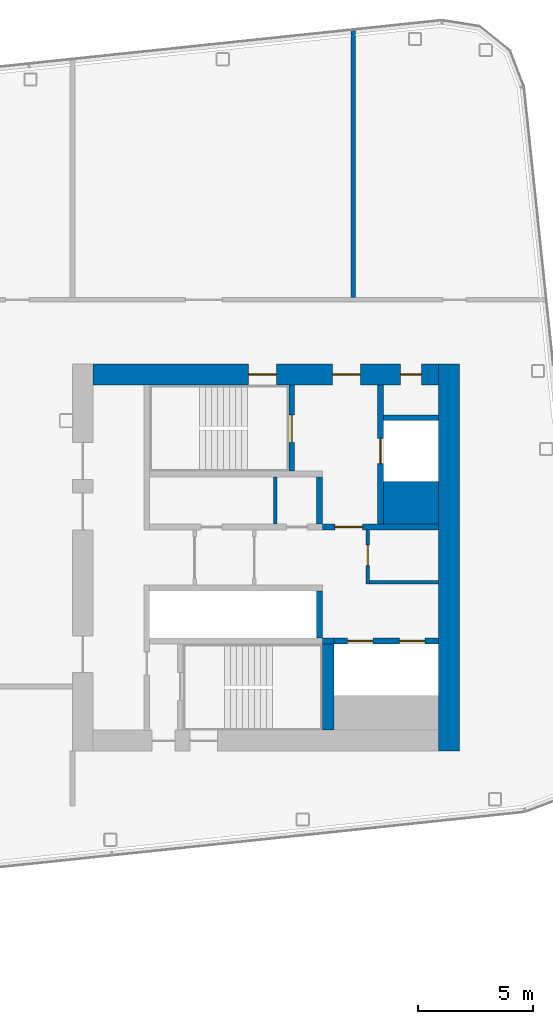
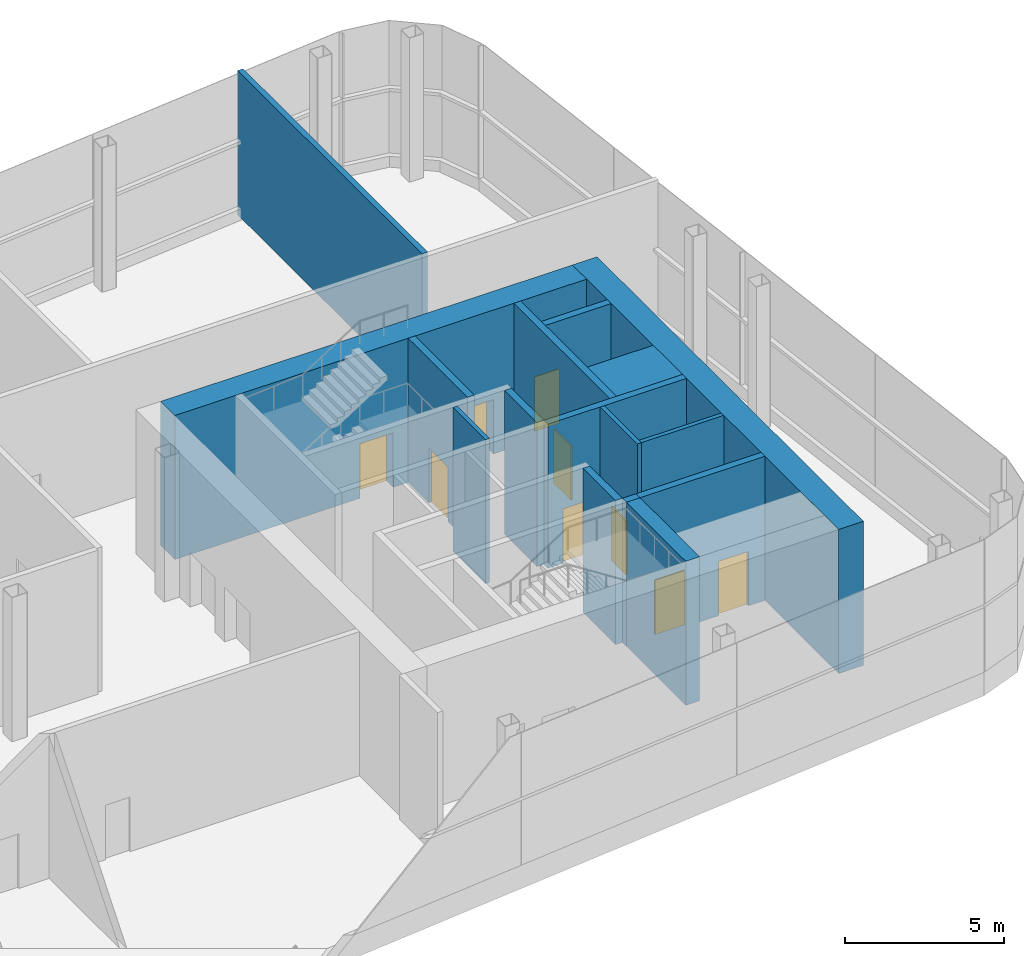
# One storey, part 17 of 35: 16 walls, 9 doors, 9 openings.
"""IFC4 building model written with IfcOpenShell, lengths in metres."""

from ifc_helpers import new_model, si_unit, direction, frame, frame_2d, origin, place, context, subcontext, project, spatial, rectangle, extrude, material, layer, layer_set, type_object, element, fill, save


model = new_model("IFC4")

# Units and contexts
model_context = context("Model", 3, precision=1e-05, world=origin(), true_north=direction((0.0, 1.0)))
body_context = subcontext(model_context, "Body", "Model", "MODEL_VIEW")
ifc_project = project(units=[si_unit("LENGTHUNIT", "METRE"), si_unit("AREAUNIT", "SQUARE_METRE"), si_unit("VOLUMEUNIT", "CUBIC_METRE"), si_unit("PLANEANGLEUNIT", "RADIAN"), si_unit("MASSUNIT", "GRAM", prefix="KILO")], contexts=[model_context])

# Site, building, storey
site_placement = place(None, origin())
site = spatial("IfcSite", under=ifc_project, at=site_placement, CompositionType="ELEMENT")
building_placement = place(site_placement, origin())
building = spatial("IfcBuilding", under=site, at=building_placement, Name="Hakoniwa Tower and Hamabe Station Hall", CompositionType="ELEMENT")
storey_placement = place(building_placement, frame((0.0, 0.0, 264.60009765625)))
storey = spatial("IfcBuildingStorey", under=building, at=storey_placement, Name="L75", CompositionType="ELEMENT", Elevation=264.60009765625)

# Wall, opening, door
ifc_material_1 = material(Name="Gypsum board partition")
ifc_layer_1 = layer(ifc_material_1, 0.14990234375)
ifc_layer_set_1 = layer_set([ifc_layer_1], Name="CORE PARTITION 150 EI 60")
wall_type_1 = type_object("IfcWallType", Name="CORE PARTITION 150 EI 60", PredefinedType="PARTITIONING", material=ifc_layer_set_1)
wall_1_placement = place(storey_placement, frame((29.625, -1.14990234375, 0.0), z_axis=(0.0, 0.0, 1.0), x_axis=(0.0, 1.0, 0.0)))
wall_1 = element("IfcWall", 1, at=wall_1_placement, inside=storey, type_object=wall_type_1, Name="Core partition PW0 east", PredefinedType="PARTITIONING", context=body_context, shape_type="SweptSolid", body=[
    extrude(rectangle(XDim=2.349853515625, YDim=0.14990234375, at=frame_2d((1.1748046875, 0.0))), origin(), (0.0, 0.0, 1.0), 5.5498046875),
])
opening_1_placement = place(wall_1_placement, frame((0.800048828125, 0.0, 0.0)))
opening_1 = element("IfcOpeningElement", 2, at=opening_1_placement, cuts=wall_1, Name="Opening CD-E-RM1-9", PredefinedType="OPENING", context=body_context, shape_type="SweptSolid", body=[
    extrude(rectangle(XDim=0.89990234375, YDim=2.10009765625, at=frame_2d((0.449951171875, 1.050048828125))), frame((0.0, 0.0849609375, 0.0), z_axis=(0.0, -1.0, 0.0), x_axis=(1.0, 0.0, 0.0)), (0.0, 0.0, 1.0), 0.169921875),
])
ifc_material_2 = material(Name="Steel fire door", Category="steel")
door_type_1 = type_object("IfcDoorType", Name="CORE DOOR 900 FD30", OperationType="NOTDEFINED", PredefinedType="DOOR", material=ifc_material_2)
door_1_placement = place(opening_1_placement, origin())
door_1 = element("IfcDoor", 3, at=door_1_placement, inside=storey, type_object=door_type_1, Name="Store room door", OperationType="SINGLE_SWING_LEFT", OverallHeight=2.10009765625, OverallWidth=0.89990234375, PredefinedType="DOOR", context=body_context, shape_type="SweptSolid", body=[
    extrude(rectangle(XDim=0.89990234375, YDim=2.10009765625, at=frame_2d((0.449951171875, 1.050048828125))), frame((0.0, 0.02490234375, 0.0), z_axis=(0.0, -1.0, 0.0), x_axis=(1.0, 0.0, 0.0)), (0.0, 0.0, 1.0), 0.050048828125),
])
fill(opening_1, door_1)

# Walls
wall_2_placement = place(storey_placement, frame((29.699951171875, -1.074951171875, 0.0), z_axis=(0.0, 0.0, 1.0), x_axis=(1.0, 0.0, 0.0)))
element("IfcWall", 4, at=wall_2_placement, inside=storey, type_object=wall_type_1, Name="Core partition PS east", PredefinedType="PARTITIONING", context=body_context, shape_type="SweptSolid", body=[
    extrude(rectangle(XDim=3.0, YDim=0.14990234375, at=frame_2d((1.5, 0.0))), origin(), (0.0, 0.0, 1.0), 5.5498046875),
])
wall_3_placement = place(storey_placement, frame((25.60009765625, 1.449951171875, 0.0), z_axis=(0.0, 0.0, 1.0), x_axis=(0.0, 1.0, 0.0)))
element("IfcWall", 5, at=wall_3_placement, inside=storey, type_object=wall_type_1, Name="Core partition PFLR0 east", PredefinedType="PARTITIONING", context=body_context, shape_type="SweptSolid", body=[
    extrude(rectangle(XDim=2.050048828125, YDim=0.14990234375, at=frame_2d((1.02490234375, 0.0))), origin(), (0.0, 0.0, 1.0), 5.5498046875),
])
ifc_material_3 = material(Name="Concrete C60", Category="concrete")
ifc_layer_2 = layer(ifc_material_3, 0.89990234375)
ifc_layer_set_2 = layer_set([ifc_layer_2], Name="CORE WALL 900 C60")
wall_type_2 = type_object("IfcWallType", Name="CORE WALL 900 C60", PredefinedType="SHEAR", material=ifc_layer_set_2)
wall_4_placement = place(storey_placement, frame((33.14990234375, -8.39990234375, 0.0), z_axis=(0.0, 0.0, 1.0), x_axis=(0.0, 1.0, 0.0)))
element("IfcWall", 6, at=wall_4_placement, inside=storey, type_object=wall_type_2, Name="Core wall OUTER east", PredefinedType="SHEAR", context=body_context, shape_type="SweptSolid", body=[
    extrude(rectangle(XDim=16.7998046875, YDim=0.89990234375, at=frame_2d((8.39990234375, 0.0))), origin(), (0.0, 0.0, 1.0), 5.5498046875),
])

# Wall, openings, doors
wall_5_placement = place(storey_placement, frame((17.699951171875, 7.949951171875, 0.0), z_axis=(0.0, 0.0, 1.0), x_axis=(1.0, 0.0, 0.0)))
wall_5 = element("IfcWall", 7, at=wall_5_placement, inside=storey, type_object=wall_type_2, Name="Core wall NORTH east", PredefinedType="SHEAR", context=body_context, shape_type="SweptSolid", body=[
    extrude(rectangle(XDim=15.0, YDim=0.89990234375, at=frame_2d((7.5, 0.0))), origin(), (0.0, 0.0, 1.0), 5.5498046875),
])
opening_2_placement = place(wall_5_placement, frame((10.39990234375, 0.0, 0.0)))
opening_2 = element("IfcOpeningElement", 8, at=opening_2_placement, cuts=wall_5, Name="Opening CD-E-FN1-12", PredefinedType="OPENING", context=body_context, shape_type="SweptSolid", body=[
    extrude(rectangle(XDim=1.199951171875, YDim=2.10009765625, at=frame_2d((0.60009765625, 1.050048828125))), frame((0.0, 0.4599609375, 0.0), z_axis=(0.0, -1.0, 0.0), x_axis=(1.0, 0.0, 0.0)), (0.0, 0.0, 1.0), 0.919921875),
])
opening_3_placement = place(wall_5_placement, frame((13.35009765625, 0.0, 0.0)))
opening_3 = element("IfcOpeningElement", 9, at=opening_3_placement, cuts=wall_5, Name="Opening CD-E-FN2-9", PredefinedType="OPENING", context=body_context, shape_type="SweptSolid", body=[
    extrude(rectangle(XDim=0.89990234375, YDim=2.10009765625, at=frame_2d((0.449951171875, 1.050048828125))), frame((0.0, 0.4599609375, 0.0), z_axis=(0.0, -1.0, 0.0), x_axis=(1.0, 0.0, 0.0)), (0.0, 0.0, 1.0), 0.919921875),
])
opening_4_placement = place(wall_5_placement, frame((6.75, 0.0, 0.0)))
opening_4 = element("IfcOpeningElement", 10, at=opening_4_placement, cuts=wall_5, Name="Opening CD-E-FN4-12", PredefinedType="OPENING", context=body_context, shape_type="SweptSolid", body=[
    extrude(rectangle(XDim=1.199951171875, YDim=2.10009765625, at=frame_2d((0.60009765625, 1.050048828125))), frame((0.0, 0.4599609375, 0.0), z_axis=(0.0, -1.0, 0.0), x_axis=(1.0, 0.0, 0.0)), (0.0, 0.0, 1.0), 0.919921875),
])
ifc_material_4 = material(Name="Steel fire door", Category="steel")
door_type_2 = type_object("IfcDoorType", Name="CORE DOOR 1200 FD60", OperationType="DOUBLE_DOOR_SINGLE_SWING", PredefinedType="DOOR", material=ifc_material_4)
door_2_placement = place(opening_2_placement, origin())
door_2 = element("IfcDoor", 11, at=door_2_placement, inside=storey, type_object=door_type_2, Name="Stair vestibule door to the fire-fighting lobby", OperationType="DOUBLE_DOOR_SINGLE_SWING", OverallHeight=2.10009765625, OverallWidth=1.199951171875, PredefinedType="DOOR", context=body_context, shape_type="SweptSolid", body=[
    extrude(rectangle(XDim=1.199951171875, YDim=2.10009765625, at=frame_2d((0.60009765625, 1.050048828125))), frame((0.0, 0.02490234375, 0.0), z_axis=(0.0, -1.0, 0.0), x_axis=(1.0, 0.0, 0.0)), (0.0, 0.0, 1.0), 0.050048828125),
])
fill(opening_2, door_2)
door_3_placement = place(opening_4_placement, origin())
door_3 = element("IfcDoor", 12, at=door_3_placement, inside=storey, type_object=door_type_2, Name="Stair vestibule door to stair A", OperationType="DOUBLE_DOOR_SINGLE_SWING", OverallHeight=2.10009765625, OverallWidth=1.199951171875, PredefinedType="DOOR", context=body_context, shape_type="SweptSolid", body=[
    extrude(rectangle(XDim=1.199951171875, YDim=2.10009765625, at=frame_2d((0.60009765625, 1.050048828125))), frame((0.0, 0.02490234375, 0.0), z_axis=(0.0, -1.0, 0.0), x_axis=(1.0, 0.0, 0.0)), (0.0, 0.0, 1.0), 0.050048828125),
])
fill(opening_4, door_3)
door_4_placement = place(opening_3_placement, origin())
door_4 = element("IfcDoor", 13, at=door_4_placement, inside=storey, type_object=door_type_1, Name="Riser access door", OperationType="SINGLE_SWING_RIGHT", OverallHeight=2.10009765625, OverallWidth=0.89990234375, PredefinedType="DOOR", context=body_context, shape_type="SweptSolid", body=[
    extrude(rectangle(XDim=0.89990234375, YDim=2.10009765625, at=frame_2d((0.449951171875, 1.050048828125))), frame((0.0, 0.02490234375, 0.0), z_axis=(0.0, -1.0, 0.0), x_axis=(1.0, 0.0, 0.0)), (0.0, 0.0, 1.0), 0.050048828125),
])
fill(opening_3, door_4)

# Walls
ifc_material_5 = material(Name="Concrete C60", Category="concrete")
ifc_layer_3 = layer(ifc_material_5, 1.85009765625)
ifc_layer_set_3 = layer_set([ifc_layer_3], Name="CORE WEB WALL 1850 C60")
wall_type_3 = type_object("IfcWallType", Name="CORE WEB WALL 1850 C60", PredefinedType="SHEAR", material=ifc_layer_set_3)
wall_6_placement = place(storey_placement, frame((30.300048828125, 2.375, 0.0), z_axis=(0.0, 0.0, 1.0), x_axis=(1.0, 0.0, 0.0)))
element("IfcWall", 14, at=wall_6_placement, inside=storey, type_object=wall_type_3, Name="Core wall CA east", PredefinedType="SHEAR", context=body_context, shape_type="SweptSolid", body=[
    extrude(rectangle(XDim=2.39990234375, YDim=1.85009765625, at=frame_2d((1.199951171875, 0.0))), origin(), (0.0, 0.0, 1.0), 5.5498046875),
])
ifc_material_6 = material(Name="Concrete C60", Category="concrete")
ifc_layer_4 = layer(ifc_material_6, 0.25)
ifc_layer_set_4 = layer_set([ifc_layer_4], Name="CORE WEB WALL 250 C60")
wall_type_4 = type_object("IfcWallType", Name="CORE WEB WALL 250 C60", PredefinedType="SHEAR", material=ifc_layer_set_4)
wall_7_placement = place(storey_placement, frame((27.52490234375, 1.449951171875, 0.0), z_axis=(0.0, 0.0, 1.0), x_axis=(0.0, 1.0, 0.0)))
element("IfcWall", 15, at=wall_7_placement, inside=storey, type_object=wall_type_4, Name="Core wall NE east", PredefinedType="SHEAR", context=body_context, shape_type="SweptSolid", body=[
    extrude(rectangle(XDim=2.050048828125, YDim=0.25, at=frame_2d((1.02490234375, 0.0))), origin(), (0.0, 0.0, 1.0), 5.5498046875),
])

# Wall, opening, door
wall_8_placement = place(storey_placement, frame((26.324951171875, 3.75, 0.0), z_axis=(0.0, 0.0, 1.0), x_axis=(0.0, 1.0, 0.0)))
wall_8 = element("IfcWall", 16, at=wall_8_placement, inside=storey, type_object=wall_type_4, Name="Core wall NSE east", PredefinedType="SHEAR", context=body_context, shape_type="SweptSolid", body=[
    extrude(rectangle(XDim=3.75, YDim=0.25, at=frame_2d((1.875, 0.0))), origin(), (0.0, 0.0, 1.0), 5.5498046875),
])
opening_5_placement = place(wall_8_placement, frame((1.25, 0.0, 0.0)))
opening_5 = element("IfcOpeningElement", 17, at=opening_5_placement, cuts=wall_8, Name="Opening CD-E-SN-12", PredefinedType="OPENING", context=body_context, shape_type="SweptSolid", body=[
    extrude(rectangle(XDim=1.199951171875, YDim=2.10009765625, at=frame_2d((0.60009765625, 1.050048828125))), frame((0.0, 0.135009765625, 0.0), z_axis=(0.0, -1.0, 0.0), x_axis=(1.0, 0.0, 0.0)), (0.0, 0.0, 1.0), 0.27001953125),
])
door_5_placement = place(opening_5_placement, origin())
door_5 = element("IfcDoor", 18, at=door_5_placement, inside=storey, type_object=door_type_2, Name="Escape stair door", OperationType="DOUBLE_DOOR_SINGLE_SWING", OverallHeight=2.10009765625, OverallWidth=1.199951171875, PredefinedType="DOOR", context=body_context, shape_type="SweptSolid", body=[
    extrude(rectangle(XDim=1.199951171875, YDim=2.10009765625, at=frame_2d((0.60009765625, 1.050048828125))), frame((0.0, 0.02490234375, 0.0), z_axis=(0.0, -1.0, 0.0), x_axis=(1.0, 0.0, 0.0)), (0.0, 0.0, 1.0), 0.050048828125),
])
fill(opening_5, door_5)

wall_9_placement = place(storey_placement, frame((27.64990234375, 1.324951171875, 0.0), z_axis=(0.0, 0.0, 1.0), x_axis=(1.0, 0.0, 0.0)))
wall_9 = element("IfcWall", 19, at=wall_9_placement, inside=storey, type_object=wall_type_4, Name="Core wall ELN east", PredefinedType="SHEAR", context=body_context, shape_type="SweptSolid", body=[
    extrude(rectangle(XDim=5.050048828125, YDim=0.25, at=frame_2d((2.52490234375, 0.0))), origin(), (0.0, 0.0, 1.0), 5.5498046875),
])
opening_6_placement = place(wall_9_placement, frame((0.550048828125, 0.0, 0.0)))
opening_6 = element("IfcOpeningElement", 20, at=opening_6_placement, cuts=wall_9, Name="Opening CD-E-FL-12", PredefinedType="OPENING", context=body_context, shape_type="SweptSolid", body=[
    extrude(rectangle(XDim=1.199951171875, YDim=2.10009765625, at=frame_2d((0.60009765625, 1.050048828125))), frame((0.0, 0.135009765625, 0.0), z_axis=(0.0, -1.0, 0.0), x_axis=(1.0, 0.0, 0.0)), (0.0, 0.0, 1.0), 0.27001953125),
])
door_6_placement = place(opening_6_placement, origin())
door_6 = element("IfcDoor", 21, at=door_6_placement, inside=storey, type_object=door_type_2, Name="Stair vestibule door to the fire-fighting lobby", OperationType="DOUBLE_DOOR_SINGLE_SWING", OverallHeight=2.10009765625, OverallWidth=1.199951171875, PredefinedType="DOOR", context=body_context, shape_type="SweptSolid", body=[
    extrude(rectangle(XDim=1.199951171875, YDim=2.10009765625, at=frame_2d((0.60009765625, 1.050048828125))), frame((0.0, 0.02490234375, 0.0), z_axis=(0.0, -1.0, 0.0), x_axis=(1.0, 0.0, 0.0)), (0.0, 0.0, 1.0), 0.050048828125),
])
fill(opening_6, door_6)

wall_10_placement = place(storey_placement, frame((30.175048828125, 1.449951171875, 0.0), z_axis=(0.0, 0.0, 1.0), x_axis=(0.0, 1.0, 0.0)))
wall_10 = element("IfcWall", 22, at=wall_10_placement, inside=storey, type_object=wall_type_4, Name="Core wall FFF east", PredefinedType="SHEAR", context=body_context, shape_type="SweptSolid", body=[
    extrude(rectangle(XDim=6.050048828125, YDim=0.25, at=frame_2d((3.02490234375, 0.0))), origin(), (0.0, 0.0, 1.0), 5.5498046875),
])
opening_7_placement = place(wall_10_placement, frame((2.625, 0.0, 0.0)))
opening_7 = element("IfcOpeningElement", 23, at=opening_7_placement, cuts=wall_10, Name="Opening LD-FF2", PredefinedType="OPENING", context=body_context, shape_type="SweptSolid", body=[
    extrude(rectangle(XDim=1.10009765625, YDim=2.10009765625, at=frame_2d((0.550048828125, 1.050048828125))), frame((0.0, 0.135009765625, 0.0), z_axis=(0.0, -1.0, 0.0), x_axis=(1.0, 0.0, 0.0)), (0.0, 0.0, 1.0), 0.27001953125),
])
ifc_material_7 = material(Name="Stainless steel SUS304", Category="steel")
door_type_3 = type_object("IfcDoorType", Name="LIFT LANDING DOOR 1100 FD60", OperationType="DOUBLE_DOOR_SLIDING", PredefinedType="DOOR", material=ifc_material_7)
door_7_placement = place(opening_7_placement, origin())
door_7 = element("IfcDoor", 24, at=door_7_placement, inside=storey, type_object=door_type_3, Name="Lift landing door FF2 L75", OperationType="DOUBLE_DOOR_SLIDING", OverallHeight=2.10009765625, OverallWidth=1.10009765625, PredefinedType="DOOR", context=body_context, shape_type="SweptSolid", body=[
    extrude(rectangle(XDim=1.10009765625, YDim=2.10009765625, at=frame_2d((0.550048828125, 1.050048828125))), frame((0.0, 0.02490234375, 0.0), z_axis=(0.0, -1.0, 0.0), x_axis=(1.0, 0.0, 0.0)), (0.0, 0.0, 1.0), 0.050048828125),
])
fill(opening_7, door_7)

# Walls
wall_11_placement = place(storey_placement, frame((30.300048828125, 6.074951171875, 0.0), z_axis=(0.0, 0.0, 1.0), x_axis=(1.0, 0.0, 0.0)))
element("IfcWall", 25, at=wall_11_placement, inside=storey, type_object=wall_type_4, Name="Core wall C2 east", PredefinedType="SHEAR", context=body_context, shape_type="SweptSolid", body=[
    extrude(rectangle(XDim=2.39990234375, YDim=0.25, at=frame_2d((1.199951171875, 0.0))), origin(), (0.0, 0.0, 1.0), 5.5498046875),
])
wall_12_placement = place(storey_placement, frame((27.52490234375, -3.5, 0.0), z_axis=(0.0, 0.0, 1.0), x_axis=(0.0, 1.0, 0.0)))
element("IfcWall", 26, at=wall_12_placement, inside=storey, type_object=wall_type_4, Name="Core wall SE east", PredefinedType="SHEAR", context=body_context, shape_type="SweptSolid", body=[
    extrude(rectangle(XDim=2.050048828125, YDim=0.25, at=frame_2d((1.02490234375, 0.0))), origin(), (0.0, 0.0, 1.0), 5.5498046875),
])

# Wall, openings, doors
wall_13_placement = place(storey_placement, frame((28.14990234375, -3.625, 0.0), z_axis=(0.0, 0.0, 1.0), x_axis=(1.0, 0.0, 0.0)))
wall_13 = element("IfcWall", 27, at=wall_13_placement, inside=storey, type_object=wall_type_4, Name="Core wall SEF east", PredefinedType="SHEAR", context=body_context, shape_type="SweptSolid", body=[
    extrude(rectangle(XDim=4.550048828125, YDim=0.25, at=frame_2d((2.27490234375, 0.0))), origin(), (0.0, 0.0, 1.0), 5.5498046875),
])
opening_8_placement = place(wall_13_placement, frame((0.60009765625, 0.0, 0.0)))
opening_8 = element("IfcOpeningElement", 28, at=opening_8_placement, cuts=wall_13, Name="Opening LD-OB1", PredefinedType="OPENING", context=body_context, shape_type="SweptSolid", body=[
    extrude(rectangle(XDim=1.10009765625, YDim=2.10009765625, at=frame_2d((0.550048828125, 1.050048828125))), frame((0.0, 0.135009765625, 0.0), z_axis=(0.0, -1.0, 0.0), x_axis=(1.0, 0.0, 0.0)), (0.0, 0.0, 1.0), 0.27001953125),
])
opening_9_placement = place(wall_13_placement, frame((2.85009765625, 0.0, 0.0)))
opening_9 = element("IfcOpeningElement", 29, at=opening_9_placement, cuts=wall_13, Name="Opening LD-OB2", PredefinedType="OPENING", context=body_context, shape_type="SweptSolid", body=[
    extrude(rectangle(XDim=1.10009765625, YDim=2.10009765625, at=frame_2d((0.550048828125, 1.050048828125))), frame((0.0, 0.135009765625, 0.0), z_axis=(0.0, -1.0, 0.0), x_axis=(1.0, 0.0, 0.0)), (0.0, 0.0, 1.0), 0.27001953125),
])
door_8_placement = place(opening_8_placement, origin())
door_8 = element("IfcDoor", 30, at=door_8_placement, inside=storey, type_object=door_type_3, Name="Lift landing door OB1 L75", OperationType="DOUBLE_DOOR_SLIDING", OverallHeight=2.10009765625, OverallWidth=1.10009765625, PredefinedType="DOOR", context=body_context, shape_type="SweptSolid", body=[
    extrude(rectangle(XDim=1.10009765625, YDim=2.10009765625, at=frame_2d((0.550048828125, 1.050048828125))), frame((0.0, 0.02490234375, 0.0), z_axis=(0.0, -1.0, 0.0), x_axis=(1.0, 0.0, 0.0)), (0.0, 0.0, 1.0), 0.050048828125),
])
fill(opening_8, door_8)
door_9_placement = place(opening_9_placement, origin())
door_9 = element("IfcDoor", 31, at=door_9_placement, inside=storey, type_object=door_type_3, Name="Lift landing door OB2 L75", OperationType="DOUBLE_DOOR_SLIDING", OverallHeight=2.10009765625, OverallWidth=1.10009765625, PredefinedType="DOOR", context=body_context, shape_type="SweptSolid", body=[
    extrude(rectangle(XDim=1.10009765625, YDim=2.10009765625, at=frame_2d((0.550048828125, 1.050048828125))), frame((0.0, 0.02490234375, 0.0), z_axis=(0.0, -1.0, 0.0), x_axis=(1.0, 0.0, 0.0)), (0.0, 0.0, 1.0), 0.050048828125),
])
fill(opening_9, door_9)

# Walls
wall_14_placement = place(storey_placement, frame((27.64990234375, -3.625, 0.0), z_axis=(0.0, 0.0, 1.0), x_axis=(1.0, 0.0, 0.0)))
element("IfcWall", 32, at=wall_14_placement, inside=storey, type_object=wall_type_4, Name="Core wall SRK east", PredefinedType="SHEAR", context=body_context, shape_type="SweptSolid", body=[
    extrude(rectangle(XDim=0.5, YDim=0.25, at=frame_2d((0.25, 0.0))), origin(), (0.0, 0.0, 1.0), 5.5498046875),
])
ifc_material_8 = material(Name="Concrete C60", Category="concrete")
ifc_layer_5 = layer(ifc_material_8, 0.5)
ifc_layer_set_5 = layer_set([ifc_layer_5], Name="CORE WEB WALL 500 C60")
wall_type_5 = type_object("IfcWallType", Name="CORE WEB WALL 500 C60", PredefinedType="SHEAR", material=ifc_layer_set_5)
wall_15_placement = place(storey_placement, frame((27.89990234375, -7.5, 0.0), z_axis=(0.0, 0.0, 1.0), x_axis=(0.0, 1.0, 0.0)))
element("IfcWall", 33, at=wall_15_placement, inside=storey, type_object=wall_type_5, Name="Core wall SSE east", PredefinedType="SHEAR", context=body_context, shape_type="SweptSolid", body=[
    extrude(rectangle(XDim=3.75, YDim=0.5, at=frame_2d((1.875, 0.0))), origin(), (0.0, 0.0, 1.0), 5.5498046875),
])
ifc_material_9 = material(Name="Fire-rated gypsum board partition", Category="gypsum")
ifc_layer_6 = layer(ifc_material_9, 0.199951171875)
ifc_layer_set_6 = layer_set([ifc_layer_6], Name="Party Wall 200")
wall_type_6 = type_object("IfcWallType", Name="Party Wall 200", PredefinedType="PARTITIONING", material=ifc_layer_set_6)
wall_16_placement = place(storey_placement, frame((29.0, 11.300048828125, 0.0), z_axis=(0.0, 0.0, 1.0), x_axis=(0.0, 1.0, 0.0)))
element("IfcWall", 34, at=wall_16_placement, inside=storey, type_object=wall_type_6, Name="GW-L75-025", PredefinedType="PARTITIONING", context=body_context, shape_type="SweptSolid", body=[
    extrude(rectangle(XDim=11.643310546875, YDim=0.199951171875, at=frame_2d((5.82177734375, 0.0))), origin(), (0.0, 0.0, 1.0), 5.5498046875),
])

save(model, "model.ifc")
